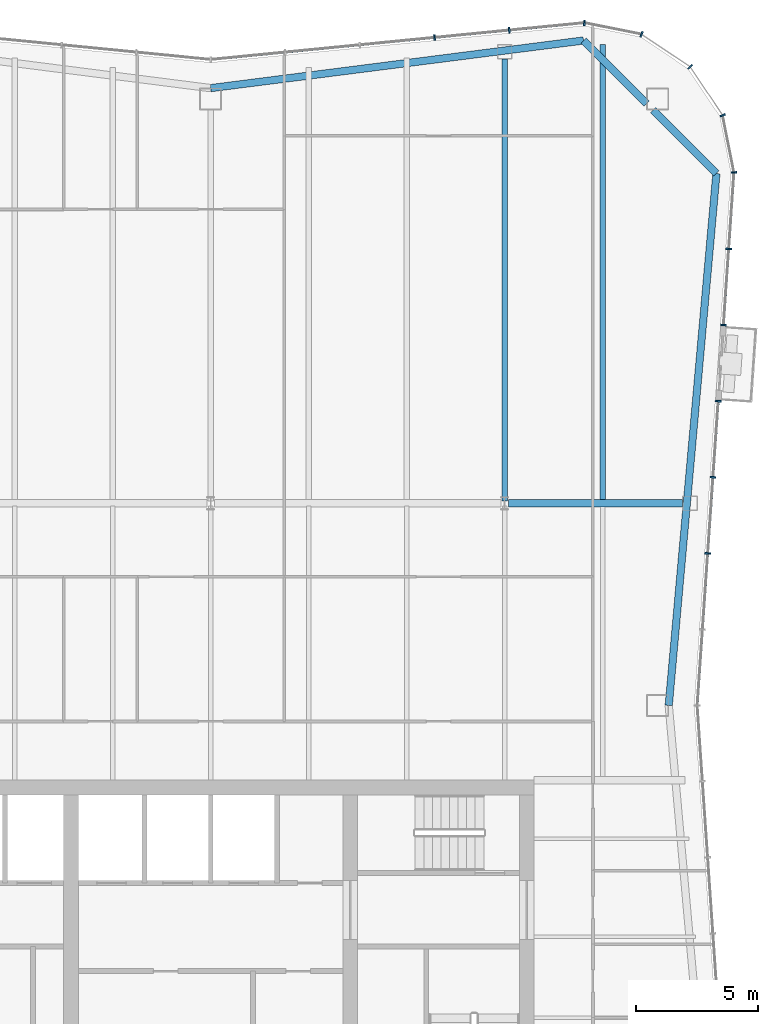
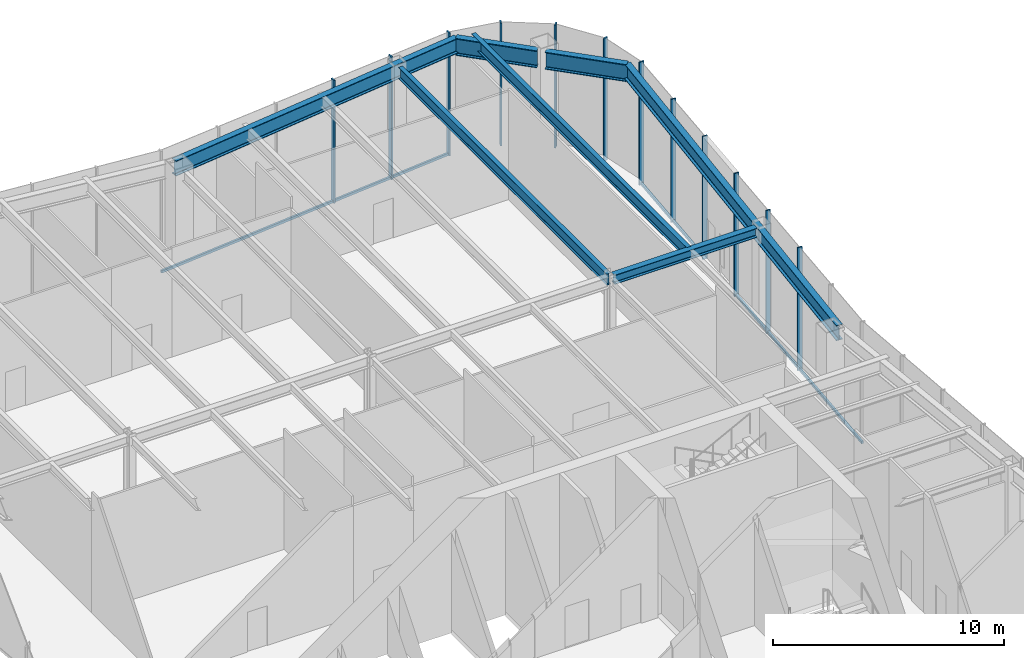
# One storey, part 7 of 15: 15 members, 7 beams, 3 elements without a shape of their own.
"""IFC4 building model written with IfcOpenShell, lengths in metres."""

from ifc_helpers import new_model, si_unit, direction, frame, origin, origin_2d, place, context, subcontext, project, spatial, rectangle, i_section, extrude, material, material_profile, profile_set, type_object, element, aggregate, save


model = new_model("IFC4")

# Units and contexts
model_context = context("Model", 3, precision=1e-05, world=origin(), true_north=direction((0.0, 1.0)))
body_context = subcontext(model_context, "Body", "Model", "MODEL_VIEW")
ifc_project = project(units=[si_unit("LENGTHUNIT", "METRE"), si_unit("AREAUNIT", "SQUARE_METRE"), si_unit("VOLUMEUNIT", "CUBIC_METRE"), si_unit("PLANEANGLEUNIT", "RADIAN"), si_unit("MASSUNIT", "GRAM", prefix="KILO")], contexts=[model_context])

# Site, building, storey
site_placement = place(None, origin())
site = spatial("IfcSite", under=ifc_project, at=site_placement, CompositionType="ELEMENT")
building_placement = place(site_placement, origin())
building = spatial("IfcBuilding", under=site, at=building_placement, Name="Verdant Reach Tower", CompositionType="ELEMENT")
storey_placement = place(building_placement, frame((0.0, 0.0, 334.0)))
storey = spatial("IfcBuildingStorey", under=building, at=storey_placement, Name="L77", CompositionType="ELEMENT", Elevation=334.0)

# Curtain wall, members
ifc_material_1 = material(Name="Anodised aluminium", Category="aluminium")
curtain_wall_type = type_object("IfcCurtainWallType", Name="EN-CW SYSTEM Z5", PredefinedType="NOTDEFINED", material=ifc_material_1)
curtain_wall_1_placement = place(storey_placement, origin())
curtain_wall_1 = element("IfcCurtainWall", 1, at=curtain_wall_1_placement, inside=storey, type_object=curtain_wall_type, Name="Curtain wall east, L77", PredefinedType="NOTDEFINED")
ifc_material_profile_1 = material_profile(ifc_material_1, rectangle(XDim=0.22998046875, YDim=0.070068359375, at=origin_2d()), Name="Mullion 70x230")
ifc_profile_set_1 = profile_set([ifc_material_profile_1], Name="Anodised aluminium")
member_type_1 = type_object("IfcMemberType", Name="EN-MULLION Z5", PredefinedType="MULLION", material=ifc_profile_set_1)
member_1_placement = place(storey_placement, frame((20.293212890625, 47.456298828125, -0.35009765625), z_axis=(0.0, 0.0, 1.0), x_axis=(0.997630328423, -0.068802091615, 0.0)))
member_1 = element("IfcMember", 2, at=member_1_placement, type_object=member_type_1, Name="Mullion east face part 2 3, L77", PredefinedType="MULLION", context=body_context, shape_type="SweptSolid", body=[
    extrude(rectangle(XDim=0.22998046875, YDim=0.070068359375, at=origin_2d()), origin(), (0.0, 0.0, 1.0), 6.5),
])
member_2_placement = place(storey_placement, frame((20.507568359375, 50.5634765625, -0.35009765625), z_axis=(0.0, 0.0, 1.0), x_axis=(0.997630328423, -0.068802091615, 0.0)))
member_2 = element("IfcMember", 3, at=member_2_placement, type_object=member_type_1, Name="Mullion east face part 2 4, L77", PredefinedType="MULLION", context=body_context, shape_type="SweptSolid", body=[
    extrude(rectangle(XDim=0.22998046875, YDim=0.070068359375, at=origin_2d()), origin(), (0.0, 0.0, 1.0), 6.5),
])
member_3_placement = place(storey_placement, frame((20.721923828125, 53.670654296875, -0.35009765625), z_axis=(0.0, 0.0, 1.0), x_axis=(0.997630328423, -0.068802091615, 0.0)))
member_3 = element("IfcMember", 4, at=member_3_placement, type_object=member_type_1, Name="Mullion east face part 2 5, L77", PredefinedType="MULLION", context=body_context, shape_type="SweptSolid", body=[
    extrude(rectangle(XDim=0.22998046875, YDim=0.070068359375, at=origin_2d()), origin(), (0.0, 0.0, 1.0), 6.5),
])
member_4_placement = place(storey_placement, frame((20.93603515625, 56.77783203125, -0.35009765625), z_axis=(0.0, 0.0, 1.0), x_axis=(0.997630328423, -0.068802091615, 0.0)))
member_4 = element("IfcMember", 5, at=member_4_placement, type_object=member_type_1, Name="Mullion east face part 2 6, L77", PredefinedType="MULLION", context=body_context, shape_type="SweptSolid", body=[
    extrude(rectangle(XDim=0.22998046875, YDim=0.070068359375, at=origin_2d()), origin(), (0.0, 0.0, 1.0), 6.5),
])
member_5_placement = place(storey_placement, frame((21.150390625, 59.885009765625, -0.35009765625), z_axis=(0.0, 0.0, 1.0), x_axis=(0.997630328423, -0.068802091615, 0.0)))
member_5 = element("IfcMember", 6, at=member_5_placement, type_object=member_type_1, Name="Mullion east face part 2 7, L77", PredefinedType="MULLION", context=body_context, shape_type="SweptSolid", body=[
    extrude(rectangle(XDim=0.22998046875, YDim=0.070068359375, at=origin_2d()), origin(), (0.0, 0.0, 1.0), 6.5),
])

curtain_wall_2_placement = place(storey_placement, origin())
curtain_wall_2 = element("IfcCurtainWall", 7, at=curtain_wall_2_placement, inside=storey, type_object=curtain_wall_type, Name="Curtain wall north-east corner, L77", PredefinedType="NOTDEFINED")
member_6_placement = place(storey_placement, frame((21.36474609375, 63.00732421875, -0.35009765625), z_axis=(0.0, 0.0, 1.0), x_axis=(0.997969180898, 0.063698618332, 0.0)))
member_6 = element("IfcMember", 8, at=member_6_placement, type_object=member_type_1, Name="Mullion north-east corner 1, L77", PredefinedType="MULLION", context=body_context, shape_type="SweptSolid", body=[
    extrude(rectangle(XDim=0.22998046875, YDim=0.070068359375, at=origin_2d()), origin(), (0.0, 0.0, 1.0), 6.5),
])
member_7_placement = place(storey_placement, frame((20.899658203125, 65.340087890625, -0.35009765625), z_axis=(0.0, 0.0, 1.0), x_axis=(0.923875215753, 0.382693853776, 0.0)))
member_7 = element("IfcMember", 9, at=member_7_placement, type_object=member_type_1, Name="Mullion north-east corner 2, L77", PredefinedType="MULLION", context=body_context, shape_type="SweptSolid", body=[
    extrude(rectangle(XDim=0.22998046875, YDim=0.070068359375, at=origin_2d()), origin(), (0.0, 0.0, 1.0), 6.5),
])
member_8_placement = place(storey_placement, frame((19.573974609375, 67.323974609375, -0.35009765625), z_axis=(0.0, 0.0, 1.0), x_axis=(0.707106781187, 0.707106781187, 0.0)))
member_8 = element("IfcMember", 10, at=member_8_placement, type_object=member_type_1, Name="Mullion north-east corner 3, L77", PredefinedType="MULLION", context=body_context, shape_type="SweptSolid", body=[
    extrude(rectangle(XDim=0.22998046875, YDim=0.070068359375, at=origin_2d()), origin(), (0.0, 0.0, 1.0), 6.5),
])
member_9_placement = place(storey_placement, frame((17.590087890625, 68.649658203125, -0.35009765625), z_axis=(0.0, 0.0, 1.0), x_axis=(0.382693853776, 0.923875215753, 0.0)))
member_9 = element("IfcMember", 11, at=member_9_placement, type_object=member_type_1, Name="Mullion north-east corner 4, L77", PredefinedType="MULLION", context=body_context, shape_type="SweptSolid", body=[
    extrude(rectangle(XDim=0.22998046875, YDim=0.070068359375, at=origin_2d()), origin(), (0.0, 0.0, 1.0), 6.5),
])
aggregate(curtain_wall_2, [member_6, member_7, member_8, member_9])

curtain_wall_3_placement = place(storey_placement, origin())
curtain_wall_3 = element("IfcCurtainWall", 12, at=curtain_wall_3_placement, inside=storey, type_object=curtain_wall_type, Name="Curtain wall north, L77", PredefinedType="NOTDEFINED")
member_10_placement = place(storey_placement, frame((15.255615234375, 69.11474609375, -0.35009765625), z_axis=(0.0, 0.0, 1.0), x_axis=(0.049127596288, 0.998792510626, 0.0)))
member_10 = element("IfcMember", 13, at=member_10_placement, type_object=member_type_1, Name="Mullion north face part 1 1, L77", PredefinedType="MULLION", context=body_context, shape_type="SweptSolid", body=[
    extrude(rectangle(XDim=0.22998046875, YDim=0.070068359375, at=origin_2d()), origin(), (0.0, 0.0, 1.0), 6.5),
])
member_11_placement = place(storey_placement, frame((12.188720703125, 68.814453125, -0.35009765625), z_axis=(0.0, 0.0, 1.0), x_axis=(-0.09788826992, 0.995197410875, 0.0)))
member_11 = element("IfcMember", 14, at=member_11_placement, type_object=member_type_1, Name="Mullion north face part 1 2, L77", PredefinedType="MULLION", context=body_context, shape_type="SweptSolid", body=[
    extrude(rectangle(XDim=0.22998046875, YDim=0.070068359375, at=origin_2d()), origin(), (0.0, 0.0, 1.0), 6.5),
])
member_12_placement = place(storey_placement, frame((9.138671875, 68.514404296875, -0.35009765625), z_axis=(0.0, 0.0, 1.0), x_axis=(-0.09788826992, 0.995197410875, 0.0)))
member_12 = element("IfcMember", 15, at=member_12_placement, type_object=member_type_1, Name="Mullion north face part 1 3, L77", PredefinedType="MULLION", context=body_context, shape_type="SweptSolid", body=[
    extrude(rectangle(XDim=0.22998046875, YDim=0.070068359375, at=origin_2d()), origin(), (0.0, 0.0, 1.0), 6.5),
])

# Member
ifc_material_profile_2 = material_profile(ifc_material_1, rectangle(XDim=0.10009765625, YDim=0.1298828125, at=origin_2d()), Name="Transom 130x100")
ifc_profile_set_2 = profile_set([ifc_material_profile_2], Name="Anodised aluminium")
member_type_2 = type_object("IfcMemberType", Name="EN-TRANSOM Z5", PredefinedType="USERDEFINED", material=ifc_profile_set_2)
member_13_placement = place(storey_placement, frame((19.867431640625, 41.284912109375, -0.284912109375), z_axis=(0.068823748892, 0.997628834582, 0.0), x_axis=(-0.997628834582, 0.068823748892, 0.0)))
member_13 = element("IfcMember", 16, at=member_13_placement, type_object=member_type_2, Name="Transom east face part 2 1.1, L77", ObjectType="TRANSOM", PredefinedType="USERDEFINED", context=body_context, shape_type="SweptSolid", body=[
    extrude(rectangle(XDim=0.10009765625, YDim=0.1298828125, at=origin_2d()), origin(), (0.0, 0.0, 1.0), 12.380126953125),
])

member_14_placement = place(storey_placement, frame((20.9384765625, 56.812744140625, -0.284912109375), z_axis=(0.068644672033, 0.997641172467, 0.0), x_axis=(-0.997641172467, 0.068644672033, 0.0)))
member_14 = element("IfcMember", 17, at=member_14_placement, type_object=member_type_2, Name="Transom east face part 2 2.1, L77", ObjectType="TRANSOM", PredefinedType="USERDEFINED", context=body_context, shape_type="SweptSolid", body=[
    extrude(rectangle(XDim=0.10009765625, YDim=0.1298828125, at=origin_2d()), origin(), (0.0, 0.0, 1.0), 6.17431640625),
])

aggregate(curtain_wall_1, [member_1, member_2, member_3, member_4, member_5, member_13, member_14])

member_15_placement = place(storey_placement, frame((15.220703125, 69.111328125, -0.284912109375), z_axis=(-0.99520229006, -0.097838652171, 0.0), x_axis=(0.097838652171, -0.99520229006, 0.0)))
member_15 = element("IfcMember", 18, at=member_15_placement, type_object=member_type_2, Name="Transom north face part 1 1.1, L77", ObjectType="TRANSOM", PredefinedType="USERDEFINED", context=body_context, shape_type="SweptSolid", body=[
    extrude(rectangle(XDim=0.10009765625, YDim=0.1298828125, at=origin_2d()), origin(), (0.0, 0.0, 1.0), 15.259033203125),
])

aggregate(curtain_wall_3, [member_10, member_11, member_12, member_15])

# Beams
ifc_material_2 = material(Name="Steel S355", Category="steel")
ifc_material_profile_3 = material_profile(ifc_material_2, i_section(OverallWidth=0.300048828125, OverallDepth=0.489990234375, WebThickness=0.011962890625, FlangeThickness=0.02294921875, FilletRadius=0.027099609375, at=origin_2d()), Name="HEA 500")
ifc_profile_set_3 = profile_set([ifc_material_profile_3], Name="Steel S355")
beam_type_1 = type_object("IfcBeamType", Name="ST-BEAM-HEA500", PredefinedType="BEAM", material=ifc_profile_set_3)
beam_1_placement = place(storey_placement, frame((12.153076171875, 49.5, 6.10498046875), z_axis=(1.0, 0.0, 0.0), x_axis=(0.0, 1.0, 0.0)))
element("IfcBeam", 19, at=beam_1_placement, inside=storey, type_object=beam_type_1, Name="Row girder, L77", PredefinedType="BEAM", context=body_context, shape_type="SweptSolid", body=[
    extrude(i_section(OverallWidth=0.300048828125, OverallDepth=0.489990234375, WebThickness=0.011962890625, FlangeThickness=0.02294921875, FilletRadius=0.027099609375, at=origin_2d()), origin(), (0.0, 0.0, 1.0), 7.115966796875),
])
ifc_material_profile_4 = material_profile(ifc_material_2, i_section(OverallWidth=0.219970703125, OverallDepth=0.60009765625, WebThickness=0.011962890625, FlangeThickness=0.01904296875, FilletRadius=0.02392578125, at=origin_2d()), Name="IPE 600")
ifc_profile_set_4 = profile_set([ifc_material_profile_4], Name="Steel S355")
beam_type_2 = type_object("IfcBeamType", Name="ST-JOIST-IPE600", PredefinedType="JOIST", material=ifc_profile_set_4)
beam_2_placement = place(storey_placement, frame((12.0, 49.60009765625, 6.050048828125), z_axis=(0.0, 1.0, 0.0), x_axis=(-1.0, 0.0, 0.0)))
element("IfcBeam", 20, at=beam_2_placement, inside=storey, type_object=beam_type_2, Name="Floor joist, L77", PredefinedType="JOIST", context=body_context, shape_type="SweptSolid", body=[
    extrude(i_section(OverallWidth=0.219970703125, OverallDepth=0.60009765625, WebThickness=0.011962890625, FlangeThickness=0.01904296875, FilletRadius=0.02392578125, at=origin_2d()), origin(), (0.0, 0.0, 1.0), 18.0302734375),
])
beam_3_placement = place(storey_placement, frame((16.0, 49.60009765625, 6.050048828125), z_axis=(0.0, 1.0, 0.0), x_axis=(-1.0, 0.0, 0.0)))
element("IfcBeam", 21, at=beam_3_placement, inside=storey, type_object=beam_type_2, Name="Floor joist, L77", PredefinedType="JOIST", context=body_context, shape_type="SweptSolid", body=[
    extrude(i_section(OverallWidth=0.219970703125, OverallDepth=0.60009765625, WebThickness=0.011962890625, FlangeThickness=0.01904296875, FilletRadius=0.02392578125, at=origin_2d()), origin(), (0.0, 0.0, 1.0), 18.638916015625),
])
ifc_material_profile_5 = material_profile(ifc_material_2, i_section(OverallWidth=0.300048828125, OverallDepth=0.800048828125, WebThickness=0.017578125, FlangeThickness=0.032958984375, FilletRadius=0.030029296875, at=origin_2d()), Name="HEB 800")
ifc_profile_set_5 = profile_set([ifc_material_profile_5], Name="Steel S355")
beam_type_3 = type_object("IfcBeamType", Name="ST-SPANDREL-HEB800", PredefinedType="SPANDREL", material=ifc_profile_set_5)
beam_4_placement = place(storey_placement, frame((0.0, 66.449951171875, 5.949951171875), z_axis=(0.991938889669, 0.126717162063, 0.0), x_axis=(-0.126717162063, 0.991938889669, 0.0)))
element("IfcBeam", 22, at=beam_4_placement, inside=storey, type_object=beam_type_3, Name="Edge beam, L77", PredefinedType="SPANDREL", context=body_context, shape_type="SweptSolid", body=[
    extrude(i_section(OverallWidth=0.300048828125, OverallDepth=0.800048828125, WebThickness=0.017578125, FlangeThickness=0.032958984375, FilletRadius=0.030029296875, at=origin_2d()), origin(), (0.0, 0.0, 1.0), 15.343994140625),
])
beam_5_placement = place(storey_placement, frame((20.64599609375, 62.96142578125, 5.949951171875), z_axis=(-0.089274399498, -0.996007069048, 0.0), x_axis=(0.996007069048, -0.089274399498, 0.0)))
element("IfcBeam", 23, at=beam_5_placement, inside=storey, type_object=beam_type_3, Name="Edge beam, L77", PredefinedType="SPANDREL", context=body_context, shape_type="SweptSolid", body=[
    extrude(i_section(OverallWidth=0.300048828125, OverallDepth=0.800048828125, WebThickness=0.017578125, FlangeThickness=0.032958984375, FilletRadius=0.030029296875, at=origin_2d()), origin(), (0.0, 0.0, 1.0), 21.798583984375),
])
ifc_material_profile_6 = material_profile(ifc_material_2, i_section(OverallWidth=0.302001953125, OverallDepth=0.909912109375, WebThickness=0.02099609375, FlangeThickness=0.0400390625, FilletRadius=0.030029296875, at=origin_2d()), Name="HEM 900")
ifc_profile_set_6 = profile_set([ifc_material_profile_6], Name="Steel S355")
beam_type_4 = type_object("IfcBeamType", Name="ST-SPANDREL-HEM900", PredefinedType="SPANDREL", material=ifc_profile_set_6)
beam_6_placement = place(storey_placement, frame((15.22021484375, 68.394287109375, 5.89501953125), z_axis=(0.706638520854, -0.707574731632, 0.0), x_axis=(0.707574731632, 0.706638520854, 0.0)))
element("IfcBeam", 24, at=beam_6_placement, inside=storey, type_object=beam_type_4, Name="Edge beam, L77", PredefinedType="SPANDREL", context=body_context, shape_type="SweptSolid", body=[
    extrude(i_section(OverallWidth=0.302001953125, OverallDepth=0.909912109375, WebThickness=0.02099609375, FlangeThickness=0.0400390625, FilletRadius=0.030029296875, at=origin_2d()), origin(), (0.0, 0.0, 1.0), 3.65087890625),
])
beam_7_placement = place(storey_placement, frame((18.060791015625, 65.550048828125, 5.89501953125), z_axis=(0.706639493403, -0.707573760369, 0.0), x_axis=(0.707573760369, 0.706639493403, 0.0)))
element("IfcBeam", 25, at=beam_7_placement, inside=storey, type_object=beam_type_4, Name="Edge beam, L77", PredefinedType="SPANDREL", context=body_context, shape_type="SweptSolid", body=[
    extrude(i_section(OverallWidth=0.302001953125, OverallDepth=0.909912109375, WebThickness=0.02099609375, FlangeThickness=0.0400390625, FilletRadius=0.030029296875, at=origin_2d()), origin(), (0.0, 0.0, 1.0), 3.658447265625),
])

save(model, "model.ifc")
